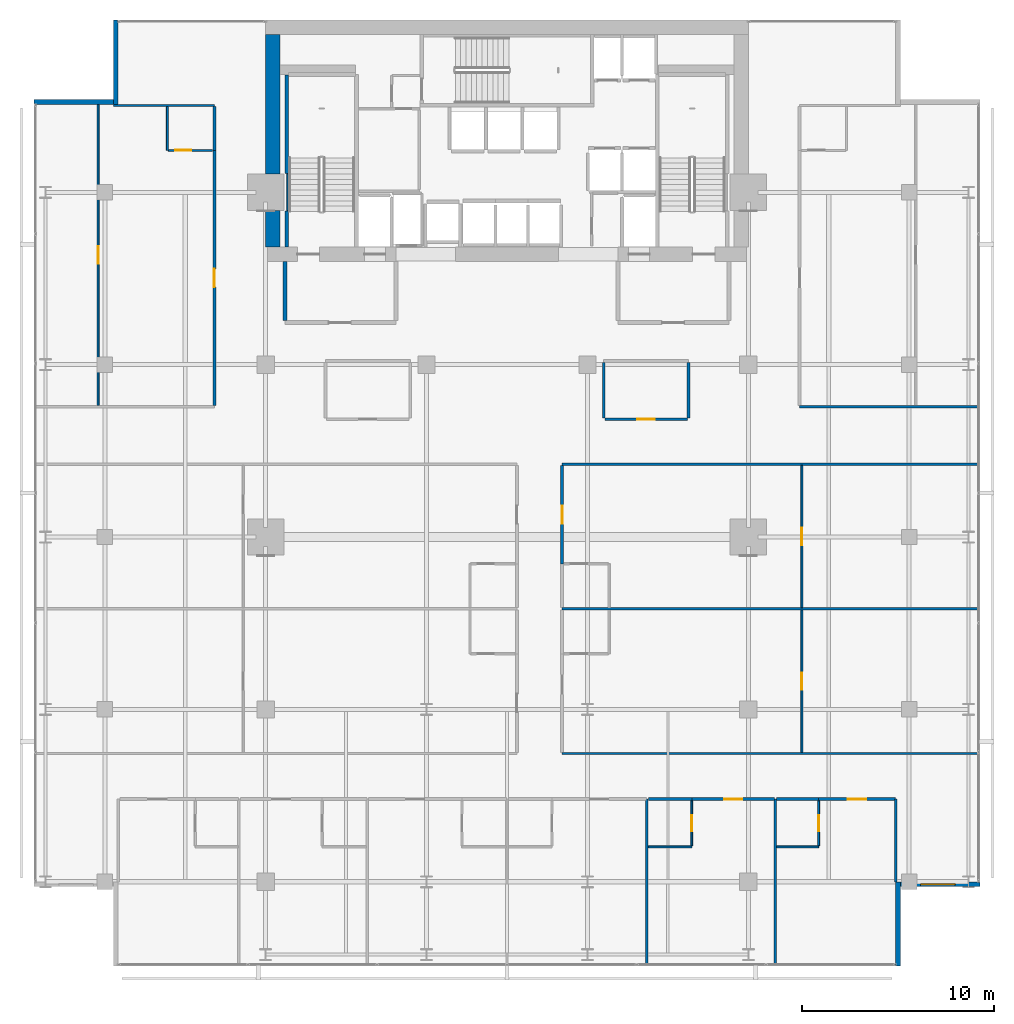
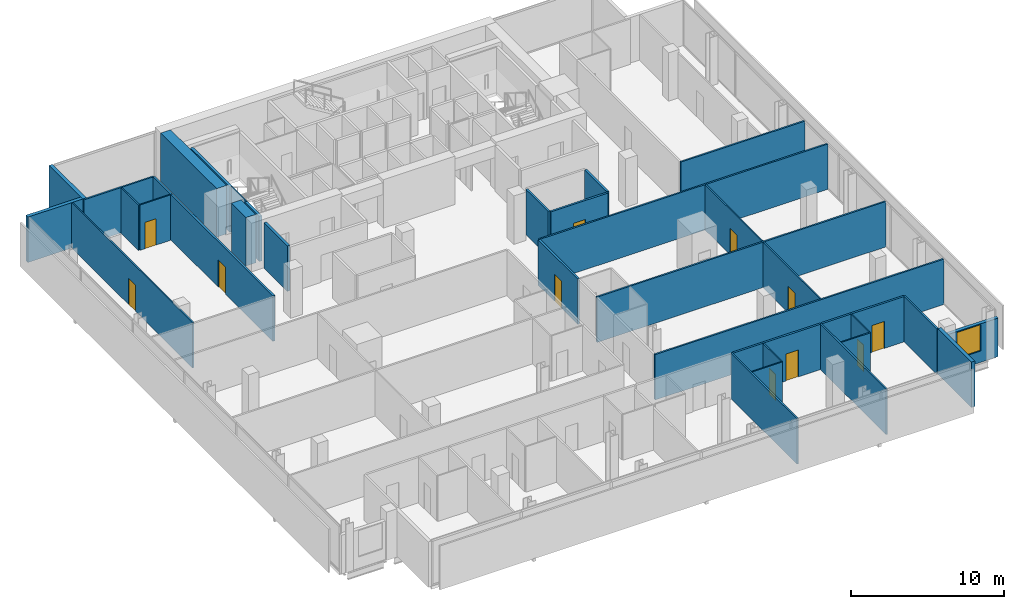
# One storey, part 28 of 33: 37 walls, 11 doors, 1 window, 12 openings.
"""IFC4 building model written with IfcOpenShell, lengths in metres."""

from ifc_helpers import new_model, si_unit, direction, frame, frame_2d, origin, place, context, subcontext, project, spatial, rectangle, extrude, material, layer, layer_set, type_object, element, fill, save


model = new_model("IFC4")

# Units and contexts
model_context = context("Model", 3, precision=1e-05, world=origin(), true_north=direction((0.0, 1.0)))
body_context = subcontext(model_context, "Body", "Model", "MODEL_VIEW")
ifc_project = project(units=[si_unit("LENGTHUNIT", "METRE"), si_unit("AREAUNIT", "SQUARE_METRE"), si_unit("VOLUMEUNIT", "CUBIC_METRE"), si_unit("PLANEANGLEUNIT", "RADIAN"), si_unit("MASSUNIT", "GRAM", prefix="KILO")], contexts=[model_context])

# Site, building, storey
site_placement = place(None, origin())
site = spatial("IfcSite", under=ifc_project, at=site_placement, CompositionType="ELEMENT")
building_placement = place(site_placement, origin())
building = spatial("IfcBuilding", under=site, at=building_placement, Name="Maruvema Waterfront Hotel and Observation Tower", CompositionType="ELEMENT")
storey_placement = place(building_placement, frame((0.0, 0.0, 200.550048828125)))
storey = spatial("IfcBuildingStorey", under=building, at=storey_placement, Name="L49", CompositionType="ELEMENT", Elevation=200.550048828125)

# Walls
ifc_material_1 = material(Name="Twin-stud acoustic gypsum drywall", Category="gypsum")
ifc_layer_1 = layer(ifc_material_1, 0.14990234375, Name="Acoustic Corridor and Suite Demising Wall 150 mm")
ifc_layer_set_1 = layer_set([ifc_layer_1], Name="Twin-stud acoustic gypsum drywall")
wall_type_1 = type_object("IfcWallType", Name="Acoustic Corridor and Suite Demising Wall 150 mm", PredefinedType="PARTITIONING", material=ifc_layer_set_1)
for number, where, z_axis, x_axis, name in (
    (1, (42.85009765625, 33.22998046875, 0.0), (0.0, 0.0, 1.0), (0.0, 1.0, 0.0), "L49 L49-M2 West Wall 022"),
    (2, (47.280029296875, 33.22998046875, 0.0), (0.0, 0.0, 1.0), (0.0, 1.0, 0.0), "L49 L49-M2 East Wall 023"),
):
    element("IfcWall", number, at=place(storey_placement, frame(where, z_axis=z_axis, x_axis=x_axis)), inside=storey, type_object=wall_type_1, Name=name, PredefinedType="PARTITIONING", context=body_context, shape_type="SweptSolid", body=[
        extrude(rectangle(XDim=2.89013671875, YDim=0.14990234375, at=frame_2d((1.445068359375, 0.0))), origin(), (0.0, 0.0, 1.0), 3.60986328125),
    ])

# Wall, opening, door
wall_1_placement = place(storey_placement, frame((42.909912109375, 33.14990234375, 0.0), z_axis=(0.0, 0.0, 1.0), x_axis=(1.0, 0.0, 0.0)))
wall_1 = element("IfcWall", 3, at=wall_1_placement, inside=storey, type_object=wall_type_1, Name="L49 L49-M2 Front 1 024", PredefinedType="PARTITIONING", context=body_context, shape_type="SweptSolid", body=[
    extrude(rectangle(XDim=4.31005859375, YDim=0.14990234375, at=frame_2d((2.155029296875, 0.0))), origin(), (0.0, 0.0, 1.0), 3.60986328125),
])
opening_1_placement = place(wall_1_placement, frame((1.705078125, 0.0, 0.0)))
opening_1 = element("IfcOpeningElement", 4, at=opening_1_placement, cuts=wall_1, Name="Opening DR-090", PredefinedType="OPENING", context=body_context, shape_type="SweptSolid", body=[
    extrude(rectangle(XDim=0.89990234375, YDim=2.10009765625, at=frame_2d((0.449951171875, 1.050048828125))), frame((0.0, 0.0849609375, 0.0), z_axis=(0.0, -1.0, 0.0), x_axis=(1.0, 0.0, 0.0)), (0.0, 0.0, 1.0), 0.169921875),
])
ifc_material_2 = material(Name="Solid-core lacquered timber leaf", Category="wood")
door_type_1 = type_object("IfcDoorType", Name="Accessible Toilet and Room Door 900x2100 mm", OperationType="NOTDEFINED", PredefinedType="DOOR", material=ifc_material_2)
door_1_placement = place(opening_1_placement, frame((0.89990234375, 0.0, 0.0), z_axis=(0.0, 0.0, 1.0), x_axis=(-1.0, 0.0, 0.0)))
door_1 = element("IfcDoor", 5, at=door_1_placement, inside=storey, type_object=door_type_1, Name="L49 Executive Office 3 Door", OperationType="SINGLE_SWING_LEFT", OverallHeight=2.10009765625, OverallWidth=0.89990234375, PredefinedType="DOOR", context=body_context, shape_type="SweptSolid", body=[
    extrude(rectangle(XDim=0.89990234375, YDim=2.10009765625, at=frame_2d((0.449951171875, 1.050048828125))), frame((0.0, 0.02490234375, 0.0), z_axis=(0.0, -1.0, 0.0), x_axis=(1.0, 0.0, 0.0)), (0.0, 0.0, 1.0), 0.050048828125),
])
fill(opening_1, door_1)

# Wall
wall_2_placement = place(storey_placement, frame((45.179931640625, 13.320068359375, 0.0), z_axis=(0.0, 0.0, 1.0), x_axis=(1.0, 0.0, 0.0)))
element("IfcWall", 6, at=wall_2_placement, inside=storey, type_object=wall_type_1, Name="L49 Bath L49-S5 Back Wall 047", PredefinedType="PARTITIONING", context=body_context, shape_type="SweptSolid", body=[
    extrude(rectangle(XDim=2.27001953125, YDim=0.14990234375, at=frame_2d((1.135009765625, 0.0))), origin(), (0.0, 0.0, 1.0), 3.60986328125),
])

# Wall, opening, door
wall_3_placement = place(storey_placement, frame((47.449951171875, 13.320068359375, 0.0), z_axis=(0.0, 0.0, 1.0), x_axis=(1.0, 0.0, 0.0)))
wall_3 = element("IfcWall", 7, at=wall_3_placement, inside=storey, type_object=wall_type_1, Name="L49 Unit L49-S5 Corridor Wall 050", PredefinedType="PARTITIONING", context=body_context, shape_type="SweptSolid", body=[
    extrude(rectangle(XDim=4.330078125, YDim=0.14990234375, at=frame_2d((2.1650390625, 0.0))), origin(), (0.0, 0.0, 1.0), 3.60986328125),
])
opening_2_placement = place(wall_3_placement, frame((1.68994140625, 0.0, 0.0)))
opening_2 = element("IfcOpeningElement", 8, at=opening_2_placement, cuts=wall_3, Name="Opening DR-095", PredefinedType="OPENING", context=body_context, shape_type="SweptSolid", body=[
    extrude(rectangle(XDim=0.949951171875, YDim=2.14990234375, at=frame_2d((0.47509765625, 1.074951171875))), frame((0.0, 0.0849609375, 0.0), z_axis=(0.0, -1.0, 0.0), x_axis=(1.0, 0.0, 0.0)), (0.0, 0.0, 1.0), 0.169921875),
])
ifc_material_3 = material(Name="Acoustic solid-core hardwood timber leaf", Category="wood")
door_type_2 = type_object("IfcDoorType", Name="Guestroom Entrance Fire Door 950x2150 mm", OperationType="NOTDEFINED", PredefinedType="DOOR", material=ifc_material_3)
door_2_placement = place(opening_2_placement, frame((0.949951171875, 0.0, 0.0), z_axis=(0.0, 0.0, 1.0), x_axis=(-1.0, 0.0, 0.0)))
door_2 = element("IfcDoor", 9, at=door_2_placement, inside=storey, type_object=door_type_2, Name="L49 Unit L49-S5 Entrance Door", OperationType="SINGLE_SWING_LEFT", OverallHeight=2.14990234375, OverallWidth=0.949951171875, PredefinedType="DOOR", context=body_context, shape_type="SweptSolid", body=[
    extrude(rectangle(XDim=0.949951171875, YDim=2.14990234375, at=frame_2d((0.47509765625, 1.074951171875))), frame((0.0, 0.02490234375, 0.0), z_axis=(0.0, -1.0, 0.0), x_axis=(1.0, 0.0, 0.0)), (0.0, 0.0, 1.0), 0.050048828125),
])
fill(opening_2, door_2)

# Wall
wall_4_placement = place(storey_placement, frame((51.8798828125, 13.320068359375, 0.0), z_axis=(0.0, 0.0, 1.0), x_axis=(1.0, 0.0, 0.0)))
element("IfcWall", 10, at=wall_4_placement, inside=storey, type_object=wall_type_1, Name="L49 Bath L49-S6 Back Wall 052", PredefinedType="PARTITIONING", context=body_context, shape_type="SweptSolid", body=[
    extrude(rectangle(XDim=2.190185546875, YDim=0.14990234375, at=frame_2d((1.09521484375, 0.0))), origin(), (0.0, 0.0, 1.0), 3.60986328125),
])

# Wall, opening, door
wall_5_placement = place(storey_placement, frame((54.070068359375, 13.320068359375, 0.0), z_axis=(0.0, 0.0, 1.0), x_axis=(1.0, 0.0, 0.0)))
wall_5 = element("IfcWall", 11, at=wall_5_placement, inside=storey, type_object=wall_type_1, Name="L49 Unit L49-S6 Corridor Wall 055", PredefinedType="PARTITIONING", context=body_context, shape_type="SweptSolid", body=[
    extrude(rectangle(XDim=4.010009765625, YDim=0.14990234375, at=frame_2d((2.0048828125, 0.0))), origin(), (0.0, 0.0, 1.0), 3.60986328125),
])
opening_3_placement = place(wall_5_placement, frame((1.530029296875, 0.0, 0.0)))
opening_3 = element("IfcOpeningElement", 12, at=opening_3_placement, cuts=wall_5, Name="Opening DR-095", PredefinedType="OPENING", context=body_context, shape_type="SweptSolid", body=[
    extrude(rectangle(XDim=0.949951171875, YDim=2.14990234375, at=frame_2d((0.47509765625, 1.074951171875))), frame((0.0, 0.0849609375, 0.0), z_axis=(0.0, -1.0, 0.0), x_axis=(1.0, 0.0, 0.0)), (0.0, 0.0, 1.0), 0.169921875),
])
door_3_placement = place(opening_3_placement, frame((0.949951171875, 0.0, 0.0), z_axis=(0.0, 0.0, 1.0), x_axis=(-1.0, 0.0, 0.0)))
door_3 = element("IfcDoor", 13, at=door_3_placement, inside=storey, type_object=door_type_2, Name="L49 Unit L49-S6 Entrance Door", OperationType="SINGLE_SWING_LEFT", OverallHeight=2.14990234375, OverallWidth=0.949951171875, PredefinedType="DOOR", context=body_context, shape_type="SweptSolid", body=[
    extrude(rectangle(XDim=0.949951171875, YDim=2.14990234375, at=frame_2d((0.47509765625, 1.074951171875))), frame((0.0, 0.02490234375, 0.0), z_axis=(0.0, -1.0, 0.0), x_axis=(1.0, 0.0, 0.0)), (0.0, 0.0, 1.0), 0.050048828125),
])
fill(opening_3, door_3)

wall_6_placement = place(storey_placement, frame((40.679931640625, 25.60009765625, 0.0), z_axis=(0.0, 0.0, 1.0), x_axis=(0.0, 1.0, 0.0)))
wall_6 = element("IfcWall", 14, at=wall_6_placement, inside=storey, type_object=wall_type_1, Name="L49 Room L49-E2 Corridor Wall 078", PredefinedType="PARTITIONING", context=body_context, shape_type="SweptSolid", body=[
    extrude(rectangle(XDim=5.139892578125, YDim=0.14990234375, at=frame_2d((2.56982421875, 0.0))), origin(), (0.0, 0.0, 1.0), 3.60986328125),
])
opening_4_placement = place(wall_6_placement, frame((2.094970703125, 0.0, 0.0)))
opening_4 = element("IfcOpeningElement", 15, at=opening_4_placement, cuts=wall_6, Name="Opening DR-095", PredefinedType="OPENING", context=body_context, shape_type="SweptSolid", body=[
    extrude(rectangle(XDim=0.949951171875, YDim=2.14990234375, at=frame_2d((0.47509765625, 1.074951171875))), frame((0.0, 0.0849609375, 0.0), z_axis=(0.0, -1.0, 0.0), x_axis=(1.0, 0.0, 0.0)), (0.0, 0.0, 1.0), 0.169921875),
])
door_4_placement = place(opening_4_placement, frame((0.949951171875, 0.0, 0.0), z_axis=(0.0, 0.0, 1.0), x_axis=(-1.0, 0.0, 0.0)))
door_4 = element("IfcDoor", 16, at=door_4_placement, inside=storey, type_object=door_type_2, Name="L49 Room L49-E2 Entrance Door", OperationType="SINGLE_SWING_RIGHT", OverallHeight=2.14990234375, OverallWidth=0.949951171875, PredefinedType="DOOR", context=body_context, shape_type="SweptSolid", body=[
    extrude(rectangle(XDim=0.949951171875, YDim=2.14990234375, at=frame_2d((0.47509765625, 1.074951171875))), frame((0.0, 0.02490234375, 0.0), z_axis=(0.0, -1.0, 0.0), x_axis=(1.0, 0.0, 0.0)), (0.0, 0.0, 1.0), 0.050048828125),
])
fill(opening_4, door_4)

wall_7_placement = place(storey_placement, frame((22.52001953125, 33.860107421875, 0.0), z_axis=(0.0, 0.0, 1.0), x_axis=(0.0, 1.0, 0.0)))
wall_7 = element("IfcWall", 17, at=wall_7_placement, inside=storey, type_object=wall_type_1, Name="L49 Room L49-NW1 Corridor Wall 086", PredefinedType="PARTITIONING", context=body_context, shape_type="SweptSolid", body=[
    extrude(rectangle(XDim=13.327392578125, YDim=0.14990234375, at=frame_2d((6.66357421875, 0.0))), origin(), (0.0, 0.0, 1.0), 3.60986328125),
])
opening_5_placement = place(wall_7_placement, frame((6.188720703125, 0.0, 0.0)))
opening_5 = element("IfcOpeningElement", 18, at=opening_5_placement, cuts=wall_7, Name="Opening DR-095", PredefinedType="OPENING", context=body_context, shape_type="SweptSolid", body=[
    extrude(rectangle(XDim=0.949951171875, YDim=2.14990234375, at=frame_2d((0.47509765625, 1.074951171875))), frame((0.0, 0.0849609375, 0.0), z_axis=(0.0, -1.0, 0.0), x_axis=(1.0, 0.0, 0.0)), (0.0, 0.0, 1.0), 0.169921875),
])
door_5_placement = place(opening_5_placement, origin())
door_5 = element("IfcDoor", 19, at=door_5_placement, inside=storey, type_object=door_type_2, Name="L49 Room L49-NW1 Entrance Door", OperationType="SINGLE_SWING_LEFT", OverallHeight=2.14990234375, OverallWidth=0.949951171875, PredefinedType="DOOR", context=body_context, shape_type="SweptSolid", body=[
    extrude(rectangle(XDim=0.949951171875, YDim=2.14990234375, at=frame_2d((0.47509765625, 1.074951171875))), frame((0.0, 0.02490234375, 0.0), z_axis=(0.0, -1.0, 0.0), x_axis=(1.0, 0.0, 0.0)), (0.0, 0.0, 1.0), 0.050048828125),
])
fill(opening_5, door_5)

# Walls
wall_8_placement = place(storey_placement, frame((22.52001953125, 47.1875, 0.0), z_axis=(0.0, 0.0, 1.0), x_axis=(0.0, 1.0, 0.0)))
element("IfcWall", 20, at=wall_8_placement, inside=storey, type_object=wall_type_1, Name="L49 Bath L49-NW1 Wall 087", PredefinedType="PARTITIONING", context=body_context, shape_type="SweptSolid", body=[
    extrude(rectangle(XDim=2.2900390625, YDim=0.14990234375, at=frame_2d((1.14501953125, 0.0))), origin(), (0.0, 0.0, 1.0), 3.60986328125),
])
ifc_material_4 = material(Name="Precast concrete C45/55", Category="concrete")
ifc_layer_2 = layer(ifc_material_4, 0.199951171875, Name="Core Shaft and Stairwell Enclosure Wall 200 mm")
ifc_layer_set_2 = layer_set([ifc_layer_2], Name="Precast concrete C45/55")
wall_type_2 = type_object("IfcWallType", Name="Core Shaft and Stairwell Enclosure Wall 200 mm", PredefinedType="SOLIDWALL", material=ifc_layer_set_2)
wall_9_placement = place(storey_placement, frame((26.300048828125, 42.14990234375, 0.0), z_axis=(0.0, 0.0, 1.0), x_axis=(0.0, 1.0, 0.0)))
element("IfcWall", 21, at=wall_9_placement, inside=storey, type_object=wall_type_2, Name="L49 Stairwell ST-01 Shaft Lining Wall", PredefinedType="SOLIDWALL", context=body_context, shape_type="SweptSolid", body=[
    extrude(rectangle(XDim=1.8701171875, YDim=0.199951171875, at=frame_2d((0.93505859375, 0.0))), origin(), (0.0, 0.0, 1.0), 3.60986328125),
])
wall_10_placement = place(storey_placement, frame((26.300048828125, 45.97998046875, 0.0), z_axis=(0.0, 0.0, 1.0), x_axis=(0.0, 1.0, 0.0)))
element("IfcWall", 22, at=wall_10_placement, inside=storey, type_object=wall_type_2, Name="L49 Stairwell ST-01 Shaft Lining Wall", PredefinedType="SOLIDWALL", context=body_context, shape_type="SweptSolid", body=[
    extrude(rectangle(XDim=5.14013671875, YDim=0.199951171875, at=frame_2d((2.570068359375, 0.0))), origin(), (0.0, 0.0, 1.0), 3.60986328125),
])
ifc_material_5 = material(Name="Concrete C70/85", Category="concrete")
ifc_layer_3 = layer(ifc_material_5, 0.75, Name="Core Shear Wall 750 mm")
ifc_layer_set_3 = layer_set([ifc_layer_3], Name="Concrete C70/85")
wall_type_3 = type_object("IfcWallType", Name="Core Shear Wall 750 mm", PredefinedType="SHEAR", material=ifc_layer_set_3)
wall_11_placement = place(storey_placement, frame((25.574951171875, 42.14990234375, 0.0), z_axis=(0.0, 0.0, 1.0), x_axis=(0.0, 1.0, 0.0)))
element("IfcWall", 23, at=wall_11_placement, inside=storey, type_object=wall_type_3, Name="L49 West-South Core Shear Wall", PredefinedType="SHEAR", context=body_context, shape_type="SweptSolid", body=[
    extrude(rectangle(XDim=1.900146484375, YDim=0.75, at=frame_2d((0.9501953125, 0.0))), origin(), (0.0, 0.0, 1.0), 3.849853515625),
])
wall_12_placement = place(storey_placement, frame((25.574951171875, 45.949951171875, 0.0), z_axis=(0.0, 0.0, 1.0), x_axis=(0.0, 1.0, 0.0)))
element("IfcWall", 24, at=wall_12_placement, inside=storey, type_object=wall_type_3, Name="L49 West-North Core Shear Wall", PredefinedType="SHEAR", context=body_context, shape_type="SweptSolid", body=[
    extrude(rectangle(XDim=7.300048828125, YDim=0.75, at=frame_2d((3.64990234375, 0.0))), origin(), (0.0, 0.0, 1.0), 3.849853515625),
])
ifc_material_6 = material(Name="Moisture-resistant cement-board drywall", Category="gypsum")
ifc_layer_4 = layer(ifc_material_6, 0.10009765625, Name="En-Suite Moisture-Resistant Partition 100 mm")
ifc_layer_set_4 = layer_set([ifc_layer_4], Name="Moisture-resistant cement-board drywall")
wall_type_4 = type_object("IfcWallType", Name="En-Suite Moisture-Resistant Partition 100 mm", PredefinedType="PARTITIONING", material=ifc_layer_set_4)
wall_13_placement = place(storey_placement, frame((45.179931640625, 10.820068359375, 0.0), z_axis=(0.0, 0.0, 1.0), x_axis=(1.0, 0.0, 0.0)))
element("IfcWall", 25, at=wall_13_placement, inside=storey, type_object=wall_type_4, Name="L49 En-Suite L49-S5 South 048", PredefinedType="PARTITIONING", context=body_context, shape_type="SweptSolid", body=[
    extrude(rectangle(XDim=2.27001953125, YDim=0.10009765625, at=frame_2d((1.135009765625, 0.0))), origin(), (0.0, 0.0, 1.0), 3.60986328125),
])

# Wall, opening, door
wall_14_placement = place(storey_placement, frame((47.449951171875, 10.8798828125, 0.0), z_axis=(0.0, 0.0, 1.0), x_axis=(0.0, 1.0, 0.0)))
wall_14 = element("IfcWall", 26, at=wall_14_placement, inside=storey, type_object=wall_type_4, Name="L49 En-Suite L49-S5 East 049", PredefinedType="PARTITIONING", context=body_context, shape_type="SweptSolid", body=[
    extrude(rectangle(XDim=2.340087890625, YDim=0.10009765625, at=frame_2d((1.169921875, 0.0))), origin(), (0.0, 0.0, 1.0), 3.60986328125),
])
opening_6_placement = place(wall_14_placement, frame((0.7451171875, 0.0, 0.0)))
opening_6 = element("IfcOpeningElement", 27, at=opening_6_placement, cuts=wall_14, Name="Opening DR-085", PredefinedType="OPENING", context=body_context, shape_type="SweptSolid", body=[
    extrude(rectangle(XDim=0.85009765625, YDim=2.10009765625, at=frame_2d((0.425048828125, 1.050048828125))), frame((0.0, 0.06005859375, 0.0), z_axis=(0.0, -1.0, 0.0), x_axis=(1.0, 0.0, 0.0)), (0.0, 0.0, 1.0), 0.1201171875),
])
ifc_material_7 = material(Name="Moisture-resistant solid timber leaf", Category="wood")
door_type_3 = type_object("IfcDoorType", Name="En-Suite Bathroom Door 850x2100 mm", OperationType="NOTDEFINED", PredefinedType="DOOR", material=ifc_material_7)
door_6_placement = place(opening_6_placement, frame((0.85009765625, 0.0, 0.0), z_axis=(0.0, 0.0, 1.0), x_axis=(-1.0, 0.0, 0.0)))
door_6 = element("IfcDoor", 28, at=door_6_placement, inside=storey, type_object=door_type_3, Name="L49 En-Suite L49-S5 Door", OperationType="SINGLE_SWING_RIGHT", OverallHeight=2.10009765625, OverallWidth=0.85009765625, PredefinedType="DOOR", context=body_context, shape_type="SweptSolid", body=[
    extrude(rectangle(XDim=0.85009765625, YDim=2.10009765625, at=frame_2d((0.425048828125, 1.050048828125))), frame((0.0, 0.02490234375, 0.0), z_axis=(0.0, -1.0, 0.0), x_axis=(1.0, 0.0, 0.0)), (0.0, 0.0, 1.0), 0.050048828125),
])
fill(opening_6, door_6)

# Wall
wall_15_placement = place(storey_placement, frame((51.8798828125, 10.820068359375, 0.0), z_axis=(0.0, 0.0, 1.0), x_axis=(1.0, 0.0, 0.0)))
element("IfcWall", 29, at=wall_15_placement, inside=storey, type_object=wall_type_4, Name="L49 En-Suite L49-S6 South 053", PredefinedType="PARTITIONING", context=body_context, shape_type="SweptSolid", body=[
    extrude(rectangle(XDim=2.190185546875, YDim=0.10009765625, at=frame_2d((1.09521484375, 0.0))), origin(), (0.0, 0.0, 1.0), 3.60986328125),
])

# Wall, opening, door
wall_16_placement = place(storey_placement, frame((54.070068359375, 10.8798828125, 0.0), z_axis=(0.0, 0.0, 1.0), x_axis=(0.0, 1.0, 0.0)))
wall_16 = element("IfcWall", 30, at=wall_16_placement, inside=storey, type_object=wall_type_4, Name="L49 En-Suite L49-S6 East 054", PredefinedType="PARTITIONING", context=body_context, shape_type="SweptSolid", body=[
    extrude(rectangle(XDim=2.340087890625, YDim=0.10009765625, at=frame_2d((1.169921875, 0.0))), origin(), (0.0, 0.0, 1.0), 3.60986328125),
])
opening_7_placement = place(wall_16_placement, frame((0.7451171875, 0.0, 0.0)))
opening_7 = element("IfcOpeningElement", 31, at=opening_7_placement, cuts=wall_16, Name="Opening DR-085", PredefinedType="OPENING", context=body_context, shape_type="SweptSolid", body=[
    extrude(rectangle(XDim=0.85009765625, YDim=2.10009765625, at=frame_2d((0.425048828125, 1.050048828125))), frame((0.0, 0.06005859375, 0.0), z_axis=(0.0, -1.0, 0.0), x_axis=(1.0, 0.0, 0.0)), (0.0, 0.0, 1.0), 0.1201171875),
])
door_7_placement = place(opening_7_placement, frame((0.85009765625, 0.0, 0.0), z_axis=(0.0, 0.0, 1.0), x_axis=(-1.0, 0.0, 0.0)))
door_7 = element("IfcDoor", 32, at=door_7_placement, inside=storey, type_object=door_type_3, Name="L49 En-Suite L49-S6 Door", OperationType="SINGLE_SWING_RIGHT", OverallHeight=2.10009765625, OverallWidth=0.85009765625, PredefinedType="DOOR", context=body_context, shape_type="SweptSolid", body=[
    extrude(rectangle(XDim=0.85009765625, YDim=2.10009765625, at=frame_2d((0.425048828125, 1.050048828125))), frame((0.0, 0.02490234375, 0.0), z_axis=(0.0, -1.0, 0.0), x_axis=(1.0, 0.0, 0.0)), (0.0, 0.0, 1.0), 0.050048828125),
])
fill(opening_7, door_7)

wall_17_placement = place(storey_placement, frame((53.202392578125, 15.760009765625, 0.0), z_axis=(0.0, 0.0, 1.0), x_axis=(0.0, 1.0, 0.0)))
wall_17 = element("IfcWall", 33, at=wall_17_placement, inside=storey, type_object=wall_type_4, Name="L49 Suite L49-E1 Split 069", PredefinedType="PARTITIONING", context=body_context, shape_type="SweptSolid", body=[
    extrude(rectangle(XDim=7.429931640625, YDim=0.10009765625, at=frame_2d((3.71484375, 0.0))), origin(), (0.0, 0.0, 1.0), 3.60986328125),
])
opening_8_placement = place(wall_17_placement, frame((3.264892578125, 0.0, 0.0)))
opening_8 = element("IfcOpeningElement", 34, at=opening_8_placement, cuts=wall_17, Name="Opening DR-090", PredefinedType="OPENING", context=body_context, shape_type="SweptSolid", body=[
    extrude(rectangle(XDim=0.89990234375, YDim=2.10009765625, at=frame_2d((0.449951171875, 1.050048828125))), frame((0.0, 0.06005859375, 0.0), z_axis=(0.0, -1.0, 0.0), x_axis=(1.0, 0.0, 0.0)), (0.0, 0.0, 1.0), 0.1201171875),
])
door_8_placement = place(opening_8_placement, frame((0.89990234375, 0.0, 0.0), z_axis=(0.0, 0.0, 1.0), x_axis=(-1.0, 0.0, 0.0)))
door_8 = element("IfcDoor", 35, at=door_8_placement, inside=storey, type_object=door_type_1, Name="L49 Suite L49-E1 Bedroom Door", OperationType="SINGLE_SWING_LEFT", OverallHeight=2.10009765625, OverallWidth=0.89990234375, PredefinedType="DOOR", context=body_context, shape_type="SweptSolid", body=[
    extrude(rectangle(XDim=0.89990234375, YDim=2.10009765625, at=frame_2d((0.449951171875, 1.050048828125))), frame((0.0, 0.02490234375, 0.0), z_axis=(0.0, -1.0, 0.0), x_axis=(1.0, 0.0, 0.0)), (0.0, 0.0, 1.0), 0.050048828125),
])
fill(opening_8, door_8)

wall_18_placement = place(storey_placement, frame((53.202392578125, 23.31005859375, 0.0), z_axis=(0.0, 0.0, 1.0), x_axis=(0.0, 1.0, 0.0)))
wall_18 = element("IfcWall", 36, at=wall_18_placement, inside=storey, type_object=wall_type_4, Name="L49 Suite L49-E2 Split 081", PredefinedType="PARTITIONING", context=body_context, shape_type="SweptSolid", body=[
    extrude(rectangle(XDim=7.429931640625, YDim=0.10009765625, at=frame_2d((3.71484375, 0.0))), origin(), (0.0, 0.0, 1.0), 3.60986328125),
])
opening_9_placement = place(wall_18_placement, frame((3.264892578125, 0.0, 0.0)))
opening_9 = element("IfcOpeningElement", 37, at=opening_9_placement, cuts=wall_18, Name="Opening DR-090", PredefinedType="OPENING", context=body_context, shape_type="SweptSolid", body=[
    extrude(rectangle(XDim=0.89990234375, YDim=2.10009765625, at=frame_2d((0.449951171875, 1.050048828125))), frame((0.0, 0.06005859375, 0.0), z_axis=(0.0, -1.0, 0.0), x_axis=(1.0, 0.0, 0.0)), (0.0, 0.0, 1.0), 0.1201171875),
])
door_9_placement = place(opening_9_placement, frame((0.89990234375, 0.0, 0.0), z_axis=(0.0, 0.0, 1.0), x_axis=(-1.0, 0.0, 0.0)))
door_9 = element("IfcDoor", 38, at=door_9_placement, inside=storey, type_object=door_type_1, Name="L49 Suite L49-E2 Bedroom Door", OperationType="SINGLE_SWING_LEFT", OverallHeight=2.10009765625, OverallWidth=0.89990234375, PredefinedType="DOOR", context=body_context, shape_type="SweptSolid", body=[
    extrude(rectangle(XDim=0.89990234375, YDim=2.10009765625, at=frame_2d((0.449951171875, 1.050048828125))), frame((0.0, 0.02490234375, 0.0), z_axis=(0.0, -1.0, 0.0), x_axis=(1.0, 0.0, 0.0)), (0.0, 0.0, 1.0), 0.050048828125),
])
fill(opening_9, door_9)

# Wall
wall_19_placement = place(storey_placement, frame((20.070068359375, 47.1875, 0.0), z_axis=(0.0, 0.0, 1.0), x_axis=(0.0, 1.0, 0.0)))
element("IfcWall", 39, at=wall_19_placement, inside=storey, type_object=wall_type_4, Name="L49 En-Suite L49-NW1 W 088", PredefinedType="PARTITIONING", context=body_context, shape_type="SweptSolid", body=[
    extrude(rectangle(XDim=2.2900390625, YDim=0.10009765625, at=frame_2d((1.14501953125, 0.0))), origin(), (0.0, 0.0, 1.0), 3.60986328125),
])

# Wall, opening, door
wall_20_placement = place(storey_placement, frame((20.1201171875, 47.1875, 0.0), z_axis=(0.0, 0.0, 1.0), x_axis=(1.0, 0.0, 0.0)))
wall_20 = element("IfcWall", 40, at=wall_20_placement, inside=storey, type_object=wall_type_4, Name="L49 En-Suite L49-NW1 S 089", PredefinedType="PARTITIONING", context=body_context, shape_type="SweptSolid", body=[
    extrude(rectangle(XDim=2.2998046875, YDim=0.10009765625, at=frame_2d((1.14990234375, 0.0))), origin(), (0.0, 0.0, 1.0), 3.60986328125),
])
opening_10_placement = place(wall_20_placement, frame((0.35009765625, 0.0, 0.0)))
opening_10 = element("IfcOpeningElement", 41, at=opening_10_placement, cuts=wall_20, Name="Opening DR-085", PredefinedType="OPENING", context=body_context, shape_type="SweptSolid", body=[
    extrude(rectangle(XDim=0.85009765625, YDim=2.10009765625, at=frame_2d((0.425048828125, 1.050048828125))), frame((0.0, 0.06005859375, 0.0), z_axis=(0.0, -1.0, 0.0), x_axis=(1.0, 0.0, 0.0)), (0.0, 0.0, 1.0), 0.1201171875),
])
door_10_placement = place(opening_10_placement, frame((0.85009765625, 0.0, 0.0), z_axis=(0.0, 0.0, 1.0), x_axis=(-1.0, 0.0, 0.0)))
door_10 = element("IfcDoor", 42, at=door_10_placement, inside=storey, type_object=door_type_3, Name="L49 En-Suite L49-NW1 Door", OperationType="SINGLE_SWING_RIGHT", OverallHeight=2.10009765625, OverallWidth=0.85009765625, PredefinedType="DOOR", context=body_context, shape_type="SweptSolid", body=[
    extrude(rectangle(XDim=0.85009765625, YDim=2.10009765625, at=frame_2d((0.425048828125, 1.050048828125))), frame((0.0, 0.02490234375, 0.0), z_axis=(0.0, -1.0, 0.0), x_axis=(1.0, 0.0, 0.0)), (0.0, 0.0, 1.0), 0.050048828125),
])
fill(opening_10, door_10)

wall_21_placement = place(storey_placement, frame((16.445556640625, 33.860107421875, 0.0), z_axis=(0.0, 0.0, 1.0), x_axis=(0.0, 1.0, 0.0)))
wall_21 = element("IfcWall", 43, at=wall_21_placement, inside=storey, type_object=wall_type_4, Name="L49 Suite L49-NW1 Split 090", PredefinedType="PARTITIONING", context=body_context, shape_type="SweptSolid", body=[
    extrude(rectangle(XDim=15.7373046875, YDim=0.10009765625, at=frame_2d((7.86865234375, 0.0))), origin(), (0.0, 0.0, 1.0), 3.60986328125),
])
opening_11_placement = place(wall_21_placement, frame((7.418701171875, 0.0, 0.0)))
opening_11 = element("IfcOpeningElement", 44, at=opening_11_placement, cuts=wall_21, Name="Opening DR-090", PredefinedType="OPENING", context=body_context, shape_type="SweptSolid", body=[
    extrude(rectangle(XDim=0.89990234375, YDim=2.10009765625, at=frame_2d((0.449951171875, 1.050048828125))), frame((0.0, 0.06005859375, 0.0), z_axis=(0.0, -1.0, 0.0), x_axis=(1.0, 0.0, 0.0)), (0.0, 0.0, 1.0), 0.1201171875),
])
door_11_placement = place(opening_11_placement, origin())
door_11 = element("IfcDoor", 45, at=door_11_placement, inside=storey, type_object=door_type_1, Name="L49 Suite L49-NW1 Bedroom Door", OperationType="SINGLE_SWING_RIGHT", OverallHeight=2.10009765625, OverallWidth=0.89990234375, PredefinedType="DOOR", context=body_context, shape_type="SweptSolid", body=[
    extrude(rectangle(XDim=0.89990234375, YDim=2.10009765625, at=frame_2d((0.449951171875, 1.050048828125))), frame((0.0, 0.02490234375, 0.0), z_axis=(0.0, -1.0, 0.0), x_axis=(1.0, 0.0, 0.0)), (0.0, 0.0, 1.0), 0.050048828125),
])
fill(opening_11, door_11)

# Wall
ifc_material_8 = material(Name="Precast concrete C45/55 with honed Pernambuco granite facing", Category="masonry")
ifc_layer_5 = layer(ifc_material_8, 0.260009765625, Name="Exterior Granite Clad Spandrel and Pier Wall 260 mm")
ifc_layer_set_5 = layer_set([ifc_layer_5], Name="Precast concrete C45/55 with honed Pernambuco granite facing")
wall_type_5 = type_object("IfcWallType", Name="Exterior Granite Clad Spandrel and Pier Wall 260 mm", PredefinedType="SOLIDWALL", material=ifc_layer_set_5)
wall_22_placement = place(storey_placement, frame((58.22998046875, 9.0, 0.0), z_axis=(0.0, 0.0, 1.0), x_axis=(0.0, -1.0, 0.0)))
element("IfcWall", 46, at=wall_22_placement, inside=storey, type_object=wall_type_5, Name="L49 Corner Notch Granite Pier Wall SE1", PredefinedType="SOLIDWALL", context=body_context, shape_type="SweptSolid", body=[
    extrude(rectangle(XDim=4.39990234375, YDim=0.260009765625, at=frame_2d((2.199951171875, 0.0))), origin(), (0.0, 0.0, 1.0), 3.60986328125),
])

# Wall, opening, window
wall_23_placement = place(storey_placement, frame((62.5, 8.8701171875, 0.0), z_axis=(0.0, 0.0, 1.0), x_axis=(-1.0, 0.0, 0.0)))
wall_23 = element("IfcWall", 47, at=wall_23_placement, inside=storey, type_object=wall_type_5, Name="L49 Corner Notch Granite Pier Wall SE2", PredefinedType="SOLIDWALL", context=body_context, shape_type="SweptSolid", body=[
    extrude(rectangle(XDim=4.39990234375, YDim=0.260009765625, at=frame_2d((2.199951171875, 0.0))), origin(), (0.0, 0.0, 1.0), 3.071044921875),
])
opening_12_placement = place(wall_23_placement, frame((1.300048828125, 0.0, 0.89990234375)))
opening_12 = element("IfcOpeningElement", 48, at=opening_12_placement, cuts=wall_23, Name="Opening WN-02", PredefinedType="OPENING", context=body_context, shape_type="SweptSolid", body=[
    extrude(rectangle(XDim=1.800048828125, YDim=2.10009765625, at=frame_2d((0.89990234375, 1.050048828125))), frame((0.0, 0.14013671875, 0.0), z_axis=(0.0, -1.0, 0.0), x_axis=(1.0, 0.0, 0.0)), (0.0, 0.0, 1.0), 0.280029296875),
])
ifc_material_9 = material(Name="Anodised bronze aluminium frame with laminated low-E glass", Category="aluminium")
window_type = type_object("IfcWindowType", Name="Upper Notch Feature Window 1800x2100 mm", PartitioningType="SINGLE_PANEL", PredefinedType="WINDOW", material=ifc_material_9)
window_placement = place(opening_12_placement, origin())
window = element("IfcWindow", 49, at=window_placement, inside=storey, type_object=window_type, Name="L49 Corner Notch Punched Window SE2", OverallHeight=2.10009765625, OverallWidth=1.800048828125, PartitioningType="SINGLE_PANEL", PredefinedType="WINDOW", context=body_context, shape_type="SweptSolid", body=[
    extrude(rectangle(XDim=1.800048828125, YDim=2.10009765625, at=frame_2d((0.89990234375, 1.050048828125))), frame((0.0, 0.030029296875, 0.0), z_axis=(0.0, -1.0, 0.0), x_axis=(1.0, 0.0, 0.0)), (0.0, 0.0, 1.0), 0.06005859375),
])
fill(opening_12, window)

# Walls
for number, where, z_axis, x_axis, name in (
    (50, (17.3701171875, 49.60009765625, 0.0), (0.0, 0.0, 1.0), (0.0, 1.0, 0.0), "L49 Corner Notch Granite Pier Wall NW1"),
    (51, (13.10009765625, 49.72998046875, 0.0), (0.0, 0.0, 1.0), (1.0, 0.0, 0.0), "L49 Corner Notch Granite Pier Wall NW2"),
):
    element("IfcWall", number, at=place(storey_placement, frame(where, z_axis=z_axis, x_axis=x_axis)), inside=storey, type_object=wall_type_5, Name=name, PredefinedType="SOLIDWALL", context=body_context, shape_type="SweptSolid", body=[
        extrude(rectangle(XDim=4.39990234375, YDim=0.260009765625, at=frame_2d((2.199951171875, 0.0))), origin(), (0.0, 0.0, 1.0), 3.60986328125),
    ])
ifc_material_10 = material(Name="Autoclaved cellular concrete blockwork", Category="masonry")
ifc_layer_6 = layer(ifc_material_10, 0.199951171875, Name="Fire Compartment Masonry Wall 200 mm")
ifc_layer_set_6 = layer_set([ifc_layer_6], Name="Autoclaved cellular concrete blockwork")
wall_type_6 = type_object("IfcWallType", Name="Fire Compartment Masonry Wall 200 mm", PredefinedType="PARTITIONING", material=ifc_layer_set_6)
wall_24_placement = place(storey_placement, frame((26.199951171875, 38.31005859375, 0.0), z_axis=(0.0, 0.0, 1.0), x_axis=(0.0, 1.0, 0.0)))
element("IfcWall", 52, at=wall_24_placement, inside=storey, type_object=wall_type_6, Name="L49 FFL West West Wall 002", PredefinedType="PARTITIONING", context=body_context, shape_type="SweptSolid", body=[
    extrude(rectangle(XDim=3.06982421875, YDim=0.199951171875, at=frame_2d((1.534912109375, 0.0))), origin(), (0.0, 0.0, 1.0), 3.60986328125),
])
ifc_material_11 = material(Name="Acoustic gypsum plasterboard drywall", Category="gypsum")
ifc_layer_7 = layer(ifc_material_11, 0.125, Name="Guestroom Acoustic Demising Wall 125 mm")
ifc_layer_set_7 = layer_set([ifc_layer_7], Name="Acoustic gypsum plasterboard drywall")
wall_type_7 = type_object("IfcWallType", Name="Guestroom Acoustic Demising Wall 125 mm", PredefinedType="PARTITIONING", material=ifc_layer_set_7)
wall_25_placement = place(storey_placement, frame((58.10009765625, 9.0, 0.0), z_axis=(0.0, 0.0, 1.0), x_axis=(0.0, 1.0, 0.0)))
element("IfcWall", 53, at=wall_25_placement, inside=storey, type_object=wall_type_7, Name="L49 Z2 S East End 026", PredefinedType="PARTITIONING", context=body_context, shape_type="SweptSolid", body=[
    extrude(rectangle(XDim=4.320068359375, YDim=0.125, at=frame_2d((2.16015625, 0.0))), origin(), (0.0, 0.0, 1.0), 3.60986328125),
])
for number, where, z_axis, x_axis, name in (
    (54, (45.10009765625, 4.699951171875, 0.0), (0.0, 0.0, 1.0), (0.0, 1.0, 0.0), "L49 Z2 S Demising 5 046"),
    (55, (51.800048828125, 4.699951171875, 0.0), (0.0, 0.0, 1.0), (0.0, 1.0, 0.0), "L49 Z2 S Demising 6 051"),
):
    element("IfcWall", number, at=place(storey_placement, frame(where, z_axis=z_axis, x_axis=x_axis)), inside=storey, type_object=wall_type_7, Name=name, PredefinedType="PARTITIONING", context=body_context, shape_type="SweptSolid", body=[
        extrude(rectangle(XDim=8.6201171875, YDim=0.125, at=frame_2d((4.31005859375, 0.0))), origin(), (0.0, 0.0, 1.0), 3.60986328125),
    ])
for number, where, z_axis, x_axis, name in (
    (56, (40.679931640625, 15.699951171875, 0.0), (0.0, 0.0, 1.0), (1.0, 0.0, 0.0), "L49 Z2 E Bot End 057"),
    (57, (40.679931640625, 30.800048828125, 0.0), (0.0, 0.0, 1.0), (1.0, 0.0, 0.0), "L49 Z2 E Top End 059"),
    (58, (40.679931640625, 23.25, 0.0), (0.0, 0.0, 1.0), (1.0, 0.0, 0.0), "L49 Z2 E Demising 2 071"),
):
    element("IfcWall", number, at=place(storey_placement, frame(where, z_axis=z_axis, x_axis=x_axis)), inside=storey, type_object=wall_type_7, Name=name, PredefinedType="PARTITIONING", context=body_context, shape_type="SweptSolid", body=[
        extrude(rectangle(XDim=21.719970703125, YDim=0.125, at=frame_2d((10.85986328125, 0.0))), origin(), (0.0, 0.0, 1.0), 3.60986328125),
    ])
wall_26_placement = place(storey_placement, frame((53.080078125, 33.800048828125, 0.0), z_axis=(0.0, 0.0, 1.0), x_axis=(1.0, 0.0, 0.0)))
element("IfcWall", 59, at=wall_26_placement, inside=storey, type_object=wall_type_7, Name="L49 Z2 NE Bot End 083", PredefinedType="PARTITIONING", context=body_context, shape_type="SweptSolid", body=[
    extrude(rectangle(XDim=9.31982421875, YDim=0.125, at=frame_2d((4.659912109375, 0.0))), origin(), (0.0, 0.0, 1.0), 3.60986328125),
])
wall_27_placement = place(storey_placement, frame((17.239990234375, 49.53759765625, 0.0), z_axis=(0.0, 0.0, 1.0), x_axis=(1.0, 0.0, 0.0)))
element("IfcWall", 60, at=wall_27_placement, inside=storey, type_object=wall_type_7, Name="L49 Z2 NW Top End 084", PredefinedType="PARTITIONING", context=body_context, shape_type="SweptSolid", body=[
    extrude(rectangle(XDim=5.280029296875, YDim=0.125, at=frame_2d((2.64013671875, 0.0))), origin(), (0.0, 0.0, 1.0), 3.60986328125),
])
ifc_material_12 = material(Name="Precast concrete C45/55", Category="concrete")
ifc_layer_8 = layer(ifc_material_12, 0.10009765625, Name="Stairwell Stringer Cheek Wall 100 mm")
ifc_layer_set_8 = layer_set([ifc_layer_8], Name="Precast concrete C45/55")
wall_type_8 = type_object("IfcWallType", Name="Stairwell Stringer Cheek Wall 100 mm", PredefinedType="SOLIDWALL", material=ifc_layer_set_8)
wall_28_placement = place(storey_placement, frame((26.35205078125, 44.0400390625, 0.0), z_axis=(0.0, 0.0, 1.0), x_axis=(0.0, 1.0, 0.0)))
element("IfcWall", 61, at=wall_28_placement, inside=storey, type_object=wall_type_8, Name="L49 Stairwell ST-01 Mega-Column Cheek Wall", PredefinedType="SOLIDWALL", context=body_context, shape_type="SweptSolid", body=[
    extrude(rectangle(XDim=1.919921875, YDim=0.10009765625, at=frame_2d((0.9599609375, 0.0))), origin(), (0.0, 0.0, 1.0), 3.60986328125),
])

save(model, "model.ifc")
